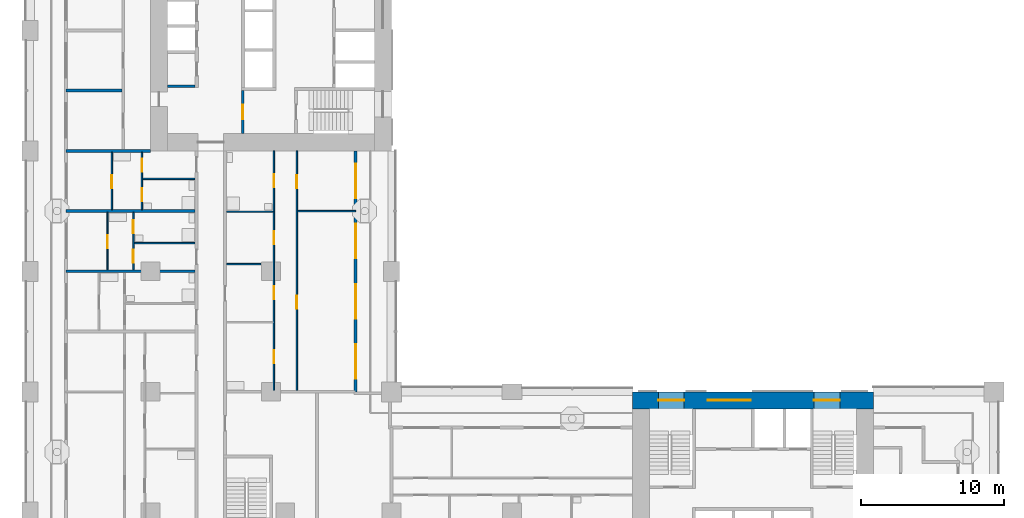
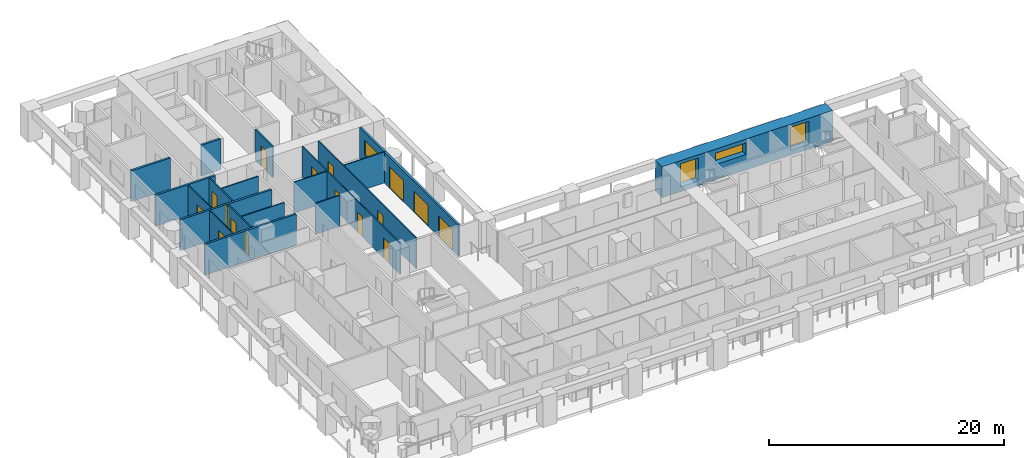
# One storey, part 7 of 19: 19 walls, 16 doors, 4 windows, 20 openings.
"""IFC4 building model written with IfcOpenShell, lengths in metres."""

from ifc_helpers import new_model, si_unit, direction, frame, frame_2d, origin, place, context, subcontext, project, spatial, rectangle, extrude, material, layer, layer_set, type_object, element, fill, save


model = new_model("IFC4")

# Units and contexts
model_context = context("Model", 3, precision=1e-05, world=origin(), true_north=direction((0.0, 1.0)))
body_context = subcontext(model_context, "Body", "Model", "MODEL_VIEW")
ifc_project = project(units=[si_unit("LENGTHUNIT", "METRE"), si_unit("AREAUNIT", "SQUARE_METRE"), si_unit("VOLUMEUNIT", "CUBIC_METRE"), si_unit("PLANEANGLEUNIT", "RADIAN"), si_unit("MASSUNIT", "GRAM", prefix="KILO")], contexts=[model_context])

# Site, building, storey
site_placement = place(None, origin())
site = spatial("IfcSite", under=ifc_project, at=site_placement, CompositionType="ELEMENT")
building_placement = place(site_placement, origin())
building = spatial("IfcBuilding", under=site, at=building_placement, Name="Vermilion Gate Residences", CompositionType="ELEMENT")
storey_placement = place(building_placement, frame((0.0, 0.0, 28.699951171875)))
storey = spatial("IfcBuildingStorey", under=building, at=storey_placement, Name="L05", CompositionType="ELEMENT", Elevation=28.699951171875)

# Wall, opening, door
ifc_material_1 = material(Name="Masonry blockwork", Category="masonry")
ifc_layer_1 = layer(ifc_material_1, 0.14990234375)
ifc_layer_set_1 = layer_set([ifc_layer_1], Name="BLOCKWORK PARTITION 150 EI 120")
wall_type_1 = type_object("IfcWallType", Name="BLOCKWORK PARTITION 150 EI 120", PredefinedType="PARTITIONING", material=ifc_layer_set_1)
wall_1_placement = place(storey_placement, frame((14.824951171875, 46.199951171875, 0.0), z_axis=(0.0, 0.0, 1.0), x_axis=(0.0, -1.0, 0.0)))
wall_1 = element("IfcWall", 1, at=wall_1_placement, inside=storey, type_object=wall_type_1, Name="Core room partition B05-VE-S", PredefinedType="PARTITIONING", context=body_context, shape_type="SweptSolid", body=[
    extrude(rectangle(XDim=3.0, YDim=0.14990234375, at=frame_2d((1.5, 0.0))), origin(), (0.0, 0.0, 1.0), 3.219970703125),
])
opening_1_placement = place(wall_1_placement, frame((1.0, 0.0, 0.0)))
opening_1 = element("IfcOpeningElement", 2, at=opening_1_placement, cuts=wall_1, Name="Opening DK05113", PredefinedType="OPENING", context=body_context, shape_type="SweptSolid", body=[
    extrude(rectangle(XDim=1.0, YDim=2.10009765625, at=frame_2d((0.5, 1.050048828125))), frame((0.0, 0.0849609375, 0.0), z_axis=(0.0, -1.0, 0.0), x_axis=(1.0, 0.0, 0.0)), (0.0, 0.0, 1.0), 0.169921875),
])
ifc_material_2 = material(Name="Steel", Category="steel")
door_type_1 = type_object("IfcDoorType", Name="FIRE DOOR FD60 1000 X 2100", OperationType="SINGLE_SWING_LEFT", PredefinedType="DOOR", material=ifc_material_2)
door_1_placement = place(opening_1_placement, frame((1.0, 0.0, 0.0), z_axis=(0.0, 0.0, 1.0), x_axis=(-1.0, 0.0, 0.0)))
door_1 = element("IfcDoor", 3, at=door_1_placement, inside=storey, type_object=door_type_1, Name="Stair vestibule door B05", OperationType="SINGLE_SWING_LEFT", OverallHeight=2.10009765625, OverallWidth=1.0, PredefinedType="DOOR", context=body_context, shape_type="SweptSolid", body=[
    extrude(rectangle(XDim=1.0, YDim=2.10009765625, at=frame_2d((0.5, 1.050048828125))), frame((0.0, 0.02490234375, 0.0), z_axis=(0.0, -1.0, 0.0), x_axis=(1.0, 0.0, 0.0)), (0.0, 0.0, 1.0), 0.050048828125),
])
fill(opening_1, door_1)

# Wall, openings, doors, window
ifc_material_3 = material(Name="Insulated steel stud wall with terracotta rainscreen", Category="masonry")
ifc_layer_2 = layer(ifc_material_3, 0.199951171875)
ifc_layer_set_2 = layer_set([ifc_layer_2], Name="EXTERNAL WALL 200 TERRACOTTA RAINSCREEN")
wall_type_2 = type_object("IfcWallType", Name="EXTERNAL WALL 200 TERRACOTTA RAINSCREEN", PredefinedType="SOLIDWALL", material=ifc_layer_set_2)
wall_2_placement = place(storey_placement, frame((22.699951171875, 25.199951171875, 0.0), z_axis=(0.0, 0.0, 1.0), x_axis=(0.0, 1.0, 0.0)))
wall_2 = element("IfcWall", 4, at=wall_2_placement, inside=storey, type_object=wall_type_2, Name="External wall", PredefinedType="SOLIDWALL", context=body_context, shape_type="SweptSolid", body=[
    extrude(rectangle(XDim=16.800048828125, YDim=0.199951171875, at=frame_2d((8.39990234375, 0.0))), origin(), (0.0, 0.0, 1.0), 3.219970703125),
])
opening_2_placement = place(wall_2_placement, frame((0.89990234375, 0.0, 0.0)))
opening_2 = element("IfcOpeningElement", 5, at=opening_2_placement, cuts=wall_2, Name="Opening DE05037", PredefinedType="OPENING", context=body_context, shape_type="SweptSolid", body=[
    extrude(rectangle(XDim=2.39990234375, YDim=2.199951171875, at=frame_2d((1.199951171875, 1.10009765625))), frame((0.0, 0.10986328125, 0.0), z_axis=(0.0, -1.0, 0.0), x_axis=(1.0, 0.0, 0.0)), (0.0, 0.0, 1.0), 0.219970703125),
])
opening_3_placement = place(wall_2_placement, frame((5.10009765625, 0.0, 0.0)))
opening_3 = element("IfcOpeningElement", 6, at=opening_3_placement, cuts=wall_2, Name="Opening DE05038", PredefinedType="OPENING", context=body_context, shape_type="SweptSolid", body=[
    extrude(rectangle(XDim=2.39990234375, YDim=2.199951171875, at=frame_2d((1.199951171875, 1.10009765625))), frame((0.0, 0.10986328125, 0.0), z_axis=(0.0, -1.0, 0.0), x_axis=(1.0, 0.0, 0.0)), (0.0, 0.0, 1.0), 0.219970703125),
])
opening_4_placement = place(wall_2_placement, frame((9.300048828125, 0.0, 0.0)))
opening_4 = element("IfcOpeningElement", 7, at=opening_4_placement, cuts=wall_2, Name="Opening DE05039", PredefinedType="OPENING", context=body_context, shape_type="SweptSolid", body=[
    extrude(rectangle(XDim=2.39990234375, YDim=2.199951171875, at=frame_2d((1.199951171875, 1.10009765625))), frame((0.0, 0.10986328125, 0.0), z_axis=(0.0, -1.0, 0.0), x_axis=(1.0, 0.0, 0.0)), (0.0, 0.0, 1.0), 0.219970703125),
])
opening_5_placement = place(wall_2_placement, frame((13.5, 0.0, 0.89990234375)))
opening_5 = element("IfcOpeningElement", 8, at=opening_5_placement, cuts=wall_2, Name="Opening WE05040", PredefinedType="OPENING", context=body_context, shape_type="SweptSolid", body=[
    extrude(rectangle(XDim=2.39990234375, YDim=1.5, at=frame_2d((1.199951171875, 0.75))), frame((0.0, 0.10986328125, 0.0), z_axis=(0.0, -1.0, 0.0), x_axis=(1.0, 0.0, 0.0)), (0.0, 0.0, 1.0), 0.219970703125),
])
ifc_material_4 = material(Name="Aluminium and clear glass", Category="aluminium")
door_type_2 = type_object("IfcDoorType", Name="SLIDING GLAZED DOOR 2400 X 2200", OperationType="DOUBLE_DOOR_SLIDING", PredefinedType="DOOR", material=ifc_material_4)
door_2_placement = place(opening_2_placement, origin())
door_2 = element("IfcDoor", 9, at=door_2_placement, inside=storey, type_object=door_type_2, Name="Loggia sliding door", OperationType="DOUBLE_DOOR_SLIDING", OverallHeight=2.199951171875, OverallWidth=2.39990234375, PredefinedType="DOOR", context=body_context, shape_type="SweptSolid", body=[
    extrude(rectangle(XDim=2.39990234375, YDim=2.199951171875, at=frame_2d((1.199951171875, 1.10009765625))), frame((0.0, 0.02490234375, 0.0), z_axis=(0.0, -1.0, 0.0), x_axis=(1.0, 0.0, 0.0)), (0.0, 0.0, 1.0), 0.050048828125),
])
fill(opening_2, door_2)
door_3_placement = place(opening_3_placement, origin())
door_3 = element("IfcDoor", 10, at=door_3_placement, inside=storey, type_object=door_type_2, Name="Loggia sliding door", OperationType="DOUBLE_DOOR_SLIDING", OverallHeight=2.199951171875, OverallWidth=2.39990234375, PredefinedType="DOOR", context=body_context, shape_type="SweptSolid", body=[
    extrude(rectangle(XDim=2.39990234375, YDim=2.199951171875, at=frame_2d((1.199951171875, 1.10009765625))), frame((0.0, 0.02490234375, 0.0), z_axis=(0.0, -1.0, 0.0), x_axis=(1.0, 0.0, 0.0)), (0.0, 0.0, 1.0), 0.050048828125),
])
fill(opening_3, door_3)
door_4_placement = place(opening_4_placement, origin())
door_4 = element("IfcDoor", 11, at=door_4_placement, inside=storey, type_object=door_type_2, Name="Loggia sliding door", OperationType="DOUBLE_DOOR_SLIDING", OverallHeight=2.199951171875, OverallWidth=2.39990234375, PredefinedType="DOOR", context=body_context, shape_type="SweptSolid", body=[
    extrude(rectangle(XDim=2.39990234375, YDim=2.199951171875, at=frame_2d((1.199951171875, 1.10009765625))), frame((0.0, 0.02490234375, 0.0), z_axis=(0.0, -1.0, 0.0), x_axis=(1.0, 0.0, 0.0)), (0.0, 0.0, 1.0), 0.050048828125),
])
fill(opening_4, door_4)
ifc_material_5 = material(Name="Aluminium and clear glass", Category="aluminium")
window_type_1 = type_object("IfcWindowType", Name="WINDOW 2400 X 1500", PartitioningType="SINGLE_PANEL", PredefinedType="WINDOW", material=ifc_material_5)
window_1_placement = place(opening_5_placement, origin())
window_1 = element("IfcWindow", 12, at=window_1_placement, inside=storey, type_object=window_type_1, Name="Window", OverallHeight=1.5, OverallWidth=2.39990234375, PartitioningType="SINGLE_PANEL", PredefinedType="WINDOW", context=body_context, shape_type="SweptSolid", body=[
    extrude(rectangle(XDim=2.39990234375, YDim=1.5, at=frame_2d((1.199951171875, 0.75))), frame((0.0, 0.030029296875, 0.0), z_axis=(0.0, -1.0, 0.0), x_axis=(1.0, 0.0, 0.0)), (0.0, 0.0, 1.0), 0.06005859375),
])
fill(opening_5, window_1)

# Walls
ifc_material_6 = material(Name="Plasterboard on steel studs", Category="steel")
ifc_layer_3 = layer(ifc_material_6, 0.10009765625)
ifc_layer_set_3 = layer_set([ifc_layer_3], Name="PARTITION 100")
wall_type_3 = type_object("IfcWallType", Name="PARTITION 100", PredefinedType="PARTITIONING", material=ifc_layer_set_3)
wall_3_placement = place(storey_placement, frame((13.699951171875, 34.10009765625, 0.0), z_axis=(0.0, 0.0, 1.0), x_axis=(1.0, 0.0, 0.0)))
element("IfcWall", 13, at=wall_3_placement, inside=storey, type_object=wall_type_3, Name="Partition", PredefinedType="PARTITIONING", context=body_context, shape_type="SweptSolid", body=[
    extrude(rectangle(XDim=2.400146484375, YDim=0.10009765625, at=frame_2d((1.2001953125, 0.0))), origin(), (0.0, 0.0, 1.0), 3.219970703125),
])
wall_4_placement = place(storey_placement, frame((7.25, 35.56005859375, 0.0), z_axis=(0.0, 0.0, 1.0), x_axis=(1.0, 0.0, 0.0)))
element("IfcWall", 14, at=wall_4_placement, inside=storey, type_object=wall_type_3, Name="Partition", PredefinedType="PARTITIONING", context=body_context, shape_type="SweptSolid", body=[
    extrude(rectangle(XDim=4.25, YDim=0.10009765625, at=frame_2d((2.125, 0.0))), origin(), (0.0, 0.0, 1.0), 3.219970703125),
])
wall_5_placement = place(storey_placement, frame((13.699951171875, 37.75, 0.0), z_axis=(0.0, 0.0, 1.0), x_axis=(1.0, 0.0, 0.0)))
element("IfcWall", 15, at=wall_5_placement, inside=storey, type_object=wall_type_3, Name="Partition", PredefinedType="PARTITIONING", context=body_context, shape_type="SweptSolid", body=[
    extrude(rectangle(XDim=3.25, YDim=0.10009765625, at=frame_2d((1.625, 0.0))), origin(), (0.0, 0.0, 1.0), 3.219970703125),
])
wall_6_placement = place(storey_placement, frame((18.64990234375, 37.800048828125, 0.0), z_axis=(0.0, 0.0, 1.0), x_axis=(1.0, 0.0, 0.0)))
element("IfcWall", 16, at=wall_6_placement, inside=storey, type_object=wall_type_3, Name="Partition", PredefinedType="PARTITIONING", context=body_context, shape_type="SweptSolid", body=[
    extrude(rectangle(XDim=4.050048828125, YDim=0.10009765625, at=frame_2d((2.02490234375, 0.0))), origin(), (0.0, 0.0, 1.0), 3.219970703125),
])
wall_7_placement = place(storey_placement, frame((7.85009765625, 40.0400390625, 0.0), z_axis=(0.0, 0.0, 1.0), x_axis=(1.0, 0.0, 0.0)))
element("IfcWall", 17, at=wall_7_placement, inside=storey, type_object=wall_type_3, Name="Partition", PredefinedType="PARTITIONING", context=body_context, shape_type="SweptSolid", body=[
    extrude(rectangle(XDim=3.64990234375, YDim=0.10009765625, at=frame_2d((1.824951171875, 0.0))), origin(), (0.0, 0.0, 1.0), 3.219970703125),
])

# Wall, opening, door
wall_8_placement = place(storey_placement, frame((5.39990234375, 33.699951171875, 0.0), z_axis=(0.0, 0.0, 1.0), x_axis=(0.0, 1.0, 0.0)))
wall_8 = element("IfcWall", 18, at=wall_8_placement, inside=storey, type_object=wall_type_3, Name="Partition", PredefinedType="PARTITIONING", context=body_context, shape_type="SweptSolid", body=[
    extrude(rectangle(XDim=4.0, YDim=0.10009765625, at=frame_2d((2.0, 0.0))), origin(), (0.0, 0.0, 1.0), 3.219970703125),
])
opening_6_placement = place(wall_8_placement, frame((1.5, 0.0, 0.0)))
opening_6 = element("IfcOpeningElement", 19, at=opening_6_placement, cuts=wall_8, Name="Opening DA04033", PredefinedType="OPENING", context=body_context, shape_type="SweptSolid", body=[
    extrude(rectangle(XDim=0.89990234375, YDim=2.10009765625, at=frame_2d((0.449951171875, 1.050048828125))), frame((0.0, 0.06005859375, 0.0), z_axis=(0.0, -1.0, 0.0), x_axis=(1.0, 0.0, 0.0)), (0.0, 0.0, 1.0), 0.1201171875),
])
ifc_material_7 = material(Name="Timber", Category="wood")
door_type_3 = type_object("IfcDoorType", Name="INTERIOR DOOR 900 X 2100", OperationType="SINGLE_SWING_LEFT", PredefinedType="DOOR", material=ifc_material_7)
door_5_placement = place(opening_6_placement, frame((0.89990234375, 0.0, 0.0), z_axis=(0.0, 0.0, 1.0), x_axis=(-1.0, 0.0, 0.0)))
door_5 = element("IfcDoor", 20, at=door_5_placement, inside=storey, type_object=door_type_3, Name="Interior door", OperationType="SINGLE_SWING_LEFT", OverallHeight=2.10009765625, OverallWidth=0.89990234375, PredefinedType="DOOR", context=body_context, shape_type="SweptSolid", body=[
    extrude(rectangle(XDim=0.89990234375, YDim=2.10009765625, at=frame_2d((0.449951171875, 1.050048828125))), frame((0.0, 0.02490234375, 0.0), z_axis=(0.0, -1.0, 0.0), x_axis=(1.0, 0.0, 0.0)), (0.0, 0.0, 1.0), 0.050048828125),
])
fill(opening_6, door_5)

wall_9_placement = place(storey_placement, frame((5.699951171875, 37.89990234375, 0.0), z_axis=(0.0, 0.0, 1.0), x_axis=(0.0, 1.0, 0.0)))
wall_9 = element("IfcWall", 21, at=wall_9_placement, inside=storey, type_object=wall_type_3, Name="Partition", PredefinedType="PARTITIONING", context=body_context, shape_type="SweptSolid", body=[
    extrude(rectangle(XDim=4.0, YDim=0.10009765625, at=frame_2d((2.0, 0.0))), origin(), (0.0, 0.0, 1.0), 3.219970703125),
])
opening_7_placement = place(wall_9_placement, frame((1.5, 0.0, 0.0)))
opening_7 = element("IfcOpeningElement", 22, at=opening_7_placement, cuts=wall_9, Name="Opening DA04034", PredefinedType="OPENING", context=body_context, shape_type="SweptSolid", body=[
    extrude(rectangle(XDim=0.89990234375, YDim=2.10009765625, at=frame_2d((0.449951171875, 1.050048828125))), frame((0.0, 0.06005859375, 0.0), z_axis=(0.0, -1.0, 0.0), x_axis=(1.0, 0.0, 0.0)), (0.0, 0.0, 1.0), 0.1201171875),
])
door_6_placement = place(opening_7_placement, frame((0.89990234375, 0.0, 0.0), z_axis=(0.0, 0.0, 1.0), x_axis=(-1.0, 0.0, 0.0)))
door_6 = element("IfcDoor", 23, at=door_6_placement, inside=storey, type_object=door_type_3, Name="Interior door", OperationType="SINGLE_SWING_LEFT", OverallHeight=2.10009765625, OverallWidth=0.89990234375, PredefinedType="DOOR", context=body_context, shape_type="SweptSolid", body=[
    extrude(rectangle(XDim=0.89990234375, YDim=2.10009765625, at=frame_2d((0.449951171875, 1.050048828125))), frame((0.0, 0.02490234375, 0.0), z_axis=(0.0, -1.0, 0.0), x_axis=(1.0, 0.0, 0.0)), (0.0, 0.0, 1.0), 0.050048828125),
])
fill(opening_7, door_6)

# Wall, openings, doors
wall_10_placement = place(storey_placement, frame((7.199951171875, 33.699951171875, 0.0), z_axis=(0.0, 0.0, 1.0), x_axis=(0.0, 1.0, 0.0)))
wall_10 = element("IfcWall", 24, at=wall_10_placement, inside=storey, type_object=wall_type_3, Name="Partition", PredefinedType="PARTITIONING", context=body_context, shape_type="SweptSolid", body=[
    extrude(rectangle(XDim=4.0, YDim=0.10009765625, at=frame_2d((2.0, 0.0))), origin(), (0.0, 0.0, 1.0), 3.219970703125),
])
opening_8_placement = place(wall_10_placement, frame((0.5, 0.0, 0.0)))
opening_8 = element("IfcOpeningElement", 25, at=opening_8_placement, cuts=wall_10, Name="Opening DA04042", PredefinedType="OPENING", context=body_context, shape_type="SweptSolid", body=[
    extrude(rectangle(XDim=0.89990234375, YDim=2.10009765625, at=frame_2d((0.449951171875, 1.050048828125))), frame((0.0, 0.06005859375, 0.0), z_axis=(0.0, -1.0, 0.0), x_axis=(1.0, 0.0, 0.0)), (0.0, 0.0, 1.0), 0.1201171875),
])
opening_9_placement = place(wall_10_placement, frame((2.56005859375, 0.0, 0.0)))
opening_9 = element("IfcOpeningElement", 26, at=opening_9_placement, cuts=wall_10, Name="Opening DA04043", PredefinedType="OPENING", context=body_context, shape_type="SweptSolid", body=[
    extrude(rectangle(XDim=0.89990234375, YDim=2.10009765625, at=frame_2d((0.449951171875, 1.050048828125))), frame((0.0, 0.06005859375, 0.0), z_axis=(0.0, -1.0, 0.0), x_axis=(1.0, 0.0, 0.0)), (0.0, 0.0, 1.0), 0.1201171875),
])
door_7_placement = place(opening_8_placement, origin())
door_7 = element("IfcDoor", 27, at=door_7_placement, inside=storey, type_object=door_type_3, Name="Interior door", OperationType="SINGLE_SWING_LEFT", OverallHeight=2.10009765625, OverallWidth=0.89990234375, PredefinedType="DOOR", context=body_context, shape_type="SweptSolid", body=[
    extrude(rectangle(XDim=0.89990234375, YDim=2.10009765625, at=frame_2d((0.449951171875, 1.050048828125))), frame((0.0, 0.02490234375, 0.0), z_axis=(0.0, -1.0, 0.0), x_axis=(1.0, 0.0, 0.0)), (0.0, 0.0, 1.0), 0.050048828125),
])
fill(opening_8, door_7)
door_8_placement = place(opening_9_placement, origin())
door_8 = element("IfcDoor", 28, at=door_8_placement, inside=storey, type_object=door_type_3, Name="Interior door", OperationType="SINGLE_SWING_LEFT", OverallHeight=2.10009765625, OverallWidth=0.89990234375, PredefinedType="DOOR", context=body_context, shape_type="SweptSolid", body=[
    extrude(rectangle(XDim=0.89990234375, YDim=2.10009765625, at=frame_2d((0.449951171875, 1.050048828125))), frame((0.0, 0.02490234375, 0.0), z_axis=(0.0, -1.0, 0.0), x_axis=(1.0, 0.0, 0.0)), (0.0, 0.0, 1.0), 0.050048828125),
])
fill(opening_9, door_8)

wall_11_placement = place(storey_placement, frame((7.800048828125, 37.89990234375, 0.0), z_axis=(0.0, 0.0, 1.0), x_axis=(0.0, 1.0, 0.0)))
wall_11 = element("IfcWall", 29, at=wall_11_placement, inside=storey, type_object=wall_type_3, Name="Partition", PredefinedType="PARTITIONING", context=body_context, shape_type="SweptSolid", body=[
    extrude(rectangle(XDim=4.0, YDim=0.10009765625, at=frame_2d((2.0, 0.0))), origin(), (0.0, 0.0, 1.0), 3.219970703125),
])
opening_10_placement = place(wall_11_placement, frame((2.639892578125, 0.0, 0.0)))
opening_10 = element("IfcOpeningElement", 30, at=opening_10_placement, cuts=wall_11, Name="Opening DA04044", PredefinedType="OPENING", context=body_context, shape_type="SweptSolid", body=[
    extrude(rectangle(XDim=0.89990234375, YDim=2.10009765625, at=frame_2d((0.449951171875, 1.050048828125))), frame((0.0, 0.06005859375, 0.0), z_axis=(0.0, -1.0, 0.0), x_axis=(1.0, 0.0, 0.0)), (0.0, 0.0, 1.0), 0.1201171875),
])
opening_11_placement = place(wall_11_placement, frame((0.60009765625, 0.0, 0.0)))
opening_11 = element("IfcOpeningElement", 31, at=opening_11_placement, cuts=wall_11, Name="Opening DA04045", PredefinedType="OPENING", context=body_context, shape_type="SweptSolid", body=[
    extrude(rectangle(XDim=0.89990234375, YDim=2.10009765625, at=frame_2d((0.449951171875, 1.050048828125))), frame((0.0, 0.06005859375, 0.0), z_axis=(0.0, -1.0, 0.0), x_axis=(1.0, 0.0, 0.0)), (0.0, 0.0, 1.0), 0.1201171875),
])
door_9_placement = place(opening_10_placement, origin())
door_9 = element("IfcDoor", 32, at=door_9_placement, inside=storey, type_object=door_type_3, Name="Interior door", OperationType="SINGLE_SWING_LEFT", OverallHeight=2.10009765625, OverallWidth=0.89990234375, PredefinedType="DOOR", context=body_context, shape_type="SweptSolid", body=[
    extrude(rectangle(XDim=0.89990234375, YDim=2.10009765625, at=frame_2d((0.449951171875, 1.050048828125))), frame((0.0, 0.02490234375, 0.0), z_axis=(0.0, -1.0, 0.0), x_axis=(1.0, 0.0, 0.0)), (0.0, 0.0, 1.0), 0.050048828125),
])
fill(opening_10, door_9)
door_10_placement = place(opening_11_placement, frame((0.89990234375, 0.0, 0.0), z_axis=(0.0, 0.0, 1.0), x_axis=(-1.0, 0.0, 0.0)))
door_10 = element("IfcDoor", 33, at=door_10_placement, inside=storey, type_object=door_type_3, Name="Interior door", OperationType="SINGLE_SWING_RIGHT", OverallHeight=2.10009765625, OverallWidth=0.89990234375, PredefinedType="DOOR", context=body_context, shape_type="SweptSolid", body=[
    extrude(rectangle(XDim=0.89990234375, YDim=2.10009765625, at=frame_2d((0.449951171875, 1.050048828125))), frame((0.0, 0.02490234375, 0.0), z_axis=(0.0, -1.0, 0.0), x_axis=(1.0, 0.0, 0.0)), (0.0, 0.0, 1.0), 0.050048828125),
])
fill(opening_11, door_10)

wall_12_placement = place(storey_placement, frame((17.0, 25.300048828125, 0.0), z_axis=(0.0, 0.0, 1.0), x_axis=(0.0, 1.0, 0.0)))
wall_12 = element("IfcWall", 34, at=wall_12_placement, inside=storey, type_object=wall_type_3, Name="Partition", PredefinedType="PARTITIONING", context=body_context, shape_type="SweptSolid", body=[
    extrude(rectangle(XDim=16.699951171875, YDim=0.10009765625, at=frame_2d((8.35009765625, 0.0))), origin(), (0.0, 0.0, 1.0), 3.219970703125),
])
opening_12_placement = place(wall_12_placement, frame((6.35009765625, 0.0, 0.0)))
opening_12 = element("IfcOpeningElement", 35, at=opening_12_placement, cuts=wall_12, Name="Opening DA04059", PredefinedType="OPENING", context=body_context, shape_type="SweptSolid", body=[
    extrude(rectangle(XDim=0.89990234375, YDim=2.10009765625, at=frame_2d((0.449951171875, 1.050048828125))), frame((0.0, 0.06005859375, 0.0), z_axis=(0.0, -1.0, 0.0), x_axis=(1.0, 0.0, 0.0)), (0.0, 0.0, 1.0), 0.1201171875),
])
opening_13_placement = place(wall_12_placement, frame((1.89990234375, 0.0, 0.0)))
opening_13 = element("IfcOpeningElement", 36, at=opening_13_placement, cuts=wall_12, Name="Opening DA04060", PredefinedType="OPENING", context=body_context, shape_type="SweptSolid", body=[
    extrude(rectangle(XDim=0.89990234375, YDim=2.10009765625, at=frame_2d((0.449951171875, 1.050048828125))), frame((0.0, 0.06005859375, 0.0), z_axis=(0.0, -1.0, 0.0), x_axis=(1.0, 0.0, 0.0)), (0.0, 0.0, 1.0), 0.1201171875),
])
opening_14_placement = place(wall_12_placement, frame((10.199951171875, 0.0, 0.0)))
opening_14 = element("IfcOpeningElement", 37, at=opening_14_placement, cuts=wall_12, Name="Opening DA04061", PredefinedType="OPENING", context=body_context, shape_type="SweptSolid", body=[
    extrude(rectangle(XDim=0.89990234375, YDim=2.10009765625, at=frame_2d((0.449951171875, 1.050048828125))), frame((0.0, 0.06005859375, 0.0), z_axis=(0.0, -1.0, 0.0), x_axis=(1.0, 0.0, 0.0)), (0.0, 0.0, 1.0), 0.1201171875),
])
opening_15_placement = place(wall_12_placement, frame((14.14990234375, 0.0, 0.0)))
opening_15 = element("IfcOpeningElement", 38, at=opening_15_placement, cuts=wall_12, Name="Opening DA04062", PredefinedType="OPENING", context=body_context, shape_type="SweptSolid", body=[
    extrude(rectangle(XDim=0.89990234375, YDim=2.10009765625, at=frame_2d((0.449951171875, 1.050048828125))), frame((0.0, 0.06005859375, 0.0), z_axis=(0.0, -1.0, 0.0), x_axis=(1.0, 0.0, 0.0)), (0.0, 0.0, 1.0), 0.1201171875),
])
door_11_placement = place(opening_12_placement, origin())
door_11 = element("IfcDoor", 39, at=door_11_placement, inside=storey, type_object=door_type_3, Name="Interior door", OperationType="SINGLE_SWING_RIGHT", OverallHeight=2.10009765625, OverallWidth=0.89990234375, PredefinedType="DOOR", context=body_context, shape_type="SweptSolid", body=[
    extrude(rectangle(XDim=0.89990234375, YDim=2.10009765625, at=frame_2d((0.449951171875, 1.050048828125))), frame((0.0, 0.02490234375, 0.0), z_axis=(0.0, -1.0, 0.0), x_axis=(1.0, 0.0, 0.0)), (0.0, 0.0, 1.0), 0.050048828125),
])
fill(opening_12, door_11)
door_12_placement = place(opening_13_placement, origin())
door_12 = element("IfcDoor", 40, at=door_12_placement, inside=storey, type_object=door_type_3, Name="Interior door", OperationType="SINGLE_SWING_LEFT", OverallHeight=2.10009765625, OverallWidth=0.89990234375, PredefinedType="DOOR", context=body_context, shape_type="SweptSolid", body=[
    extrude(rectangle(XDim=0.89990234375, YDim=2.10009765625, at=frame_2d((0.449951171875, 1.050048828125))), frame((0.0, 0.02490234375, 0.0), z_axis=(0.0, -1.0, 0.0), x_axis=(1.0, 0.0, 0.0)), (0.0, 0.0, 1.0), 0.050048828125),
])
fill(opening_13, door_12)
door_13_placement = place(opening_14_placement, origin())
door_13 = element("IfcDoor", 41, at=door_13_placement, inside=storey, type_object=door_type_3, Name="Interior door", OperationType="SINGLE_SWING_LEFT", OverallHeight=2.10009765625, OverallWidth=0.89990234375, PredefinedType="DOOR", context=body_context, shape_type="SweptSolid", body=[
    extrude(rectangle(XDim=0.89990234375, YDim=2.10009765625, at=frame_2d((0.449951171875, 1.050048828125))), frame((0.0, 0.02490234375, 0.0), z_axis=(0.0, -1.0, 0.0), x_axis=(1.0, 0.0, 0.0)), (0.0, 0.0, 1.0), 0.050048828125),
])
fill(opening_14, door_13)
door_14_placement = place(opening_15_placement, origin())
door_14 = element("IfcDoor", 42, at=door_14_placement, inside=storey, type_object=door_type_3, Name="Interior door", OperationType="SINGLE_SWING_LEFT", OverallHeight=2.10009765625, OverallWidth=0.89990234375, PredefinedType="DOOR", context=body_context, shape_type="SweptSolid", body=[
    extrude(rectangle(XDim=0.89990234375, YDim=2.10009765625, at=frame_2d((0.449951171875, 1.050048828125))), frame((0.0, 0.02490234375, 0.0), z_axis=(0.0, -1.0, 0.0), x_axis=(1.0, 0.0, 0.0)), (0.0, 0.0, 1.0), 0.050048828125),
])
fill(opening_15, door_14)

wall_13_placement = place(storey_placement, frame((18.60009765625, 25.300048828125, 0.0), z_axis=(0.0, 0.0, 1.0), x_axis=(0.0, 1.0, 0.0)))
wall_13 = element("IfcWall", 43, at=wall_13_placement, inside=storey, type_object=wall_type_3, Name="Partition", PredefinedType="PARTITIONING", context=body_context, shape_type="SweptSolid", body=[
    extrude(rectangle(XDim=16.699951171875, YDim=0.10009765625, at=frame_2d((8.35009765625, 0.0))), origin(), (0.0, 0.0, 1.0), 3.219970703125),
])
opening_16_placement = place(wall_13_placement, frame((5.699951171875, 0.0, 0.0)))
opening_16 = element("IfcOpeningElement", 44, at=opening_16_placement, cuts=wall_13, Name="Opening DA04063", PredefinedType="OPENING", context=body_context, shape_type="SweptSolid", body=[
    extrude(rectangle(XDim=0.89990234375, YDim=2.10009765625, at=frame_2d((0.449951171875, 1.050048828125))), frame((0.0, 0.06005859375, 0.0), z_axis=(0.0, -1.0, 0.0), x_axis=(1.0, 0.0, 0.0)), (0.0, 0.0, 1.0), 0.1201171875),
])
opening_17_placement = place(wall_13_placement, frame((14.10009765625, 0.0, 0.0)))
opening_17 = element("IfcOpeningElement", 45, at=opening_17_placement, cuts=wall_13, Name="Opening DA04064", PredefinedType="OPENING", context=body_context, shape_type="SweptSolid", body=[
    extrude(rectangle(XDim=0.89990234375, YDim=2.10009765625, at=frame_2d((0.449951171875, 1.050048828125))), frame((0.0, 0.06005859375, 0.0), z_axis=(0.0, -1.0, 0.0), x_axis=(1.0, 0.0, 0.0)), (0.0, 0.0, 1.0), 0.1201171875),
])
door_15_placement = place(opening_16_placement, frame((0.89990234375, 0.0, 0.0), z_axis=(0.0, 0.0, 1.0), x_axis=(-1.0, 0.0, 0.0)))
door_15 = element("IfcDoor", 46, at=door_15_placement, inside=storey, type_object=door_type_3, Name="Interior door", OperationType="SINGLE_SWING_RIGHT", OverallHeight=2.10009765625, OverallWidth=0.89990234375, PredefinedType="DOOR", context=body_context, shape_type="SweptSolid", body=[
    extrude(rectangle(XDim=0.89990234375, YDim=2.10009765625, at=frame_2d((0.449951171875, 1.050048828125))), frame((0.0, 0.02490234375, 0.0), z_axis=(0.0, -1.0, 0.0), x_axis=(1.0, 0.0, 0.0)), (0.0, 0.0, 1.0), 0.050048828125),
])
fill(opening_16, door_15)
door_16_placement = place(opening_17_placement, frame((0.89990234375, 0.0, 0.0), z_axis=(0.0, 0.0, 1.0), x_axis=(-1.0, 0.0, 0.0)))
door_16 = element("IfcDoor", 47, at=door_16_placement, inside=storey, type_object=door_type_3, Name="Interior door", OperationType="SINGLE_SWING_RIGHT", OverallHeight=2.10009765625, OverallWidth=0.89990234375, PredefinedType="DOOR", context=body_context, shape_type="SweptSolid", body=[
    extrude(rectangle(XDim=0.89990234375, YDim=2.10009765625, at=frame_2d((0.449951171875, 1.050048828125))), frame((0.0, 0.02490234375, 0.0), z_axis=(0.0, -1.0, 0.0), x_axis=(1.0, 0.0, 0.0)), (0.0, 0.0, 1.0), 0.050048828125),
])
fill(opening_17, door_16)

# Walls
ifc_material_8 = material(Name="Fire-rated plasterboard on steel studs", Category="steel")
ifc_layer_4 = layer(ifc_material_8, 0.199951171875)
ifc_layer_set_4 = layer_set([ifc_layer_4], Name="PARTY WALL 200 EI 120")
wall_type_4 = type_object("IfcWallType", Name="PARTY WALL 200 EI 120", PredefinedType="PARTITIONING", material=ifc_layer_set_4)
for number, where, z_axis, x_axis, name in (
    (48, (2.5, 33.60009765625, 0.0), (0.0, 0.0, 1.0), (1.0, 0.0, 0.0), "Party and corridor wall"),
    (49, (2.5, 37.800048828125, 0.0), (0.0, 0.0, 1.0), (1.0, 0.0, 0.0), "Party and corridor wall"),
):
    element("IfcWall", number, at=place(storey_placement, frame(where, z_axis=z_axis, x_axis=x_axis)), inside=storey, type_object=wall_type_4, Name=name, PredefinedType="PARTITIONING", context=body_context, shape_type="SweptSolid", body=[
        extrude(rectangle(XDim=9.0, YDim=0.199951171875, at=frame_2d((4.5, 0.0))), origin(), (0.0, 0.0, 1.0), 3.219970703125),
    ])
wall_14_placement = place(storey_placement, frame((2.5, 42.0, 0.0), z_axis=(0.0, 0.0, 1.0), x_axis=(1.0, 0.0, 0.0)))
element("IfcWall", 50, at=wall_14_placement, inside=storey, type_object=wall_type_4, Name="Party and corridor wall", PredefinedType="PARTITIONING", context=body_context, shape_type="SweptSolid", body=[
    extrude(rectangle(XDim=5.89990234375, YDim=0.199951171875, at=frame_2d((2.949951171875, 0.0))), origin(), (0.0, 0.0, 1.0), 3.219970703125),
])
wall_15_placement = place(storey_placement, frame((2.5, 46.199951171875, 0.0), z_axis=(0.0, 0.0, 1.0), x_axis=(1.0, 0.0, 0.0)))
element("IfcWall", 51, at=wall_15_placement, inside=storey, type_object=wall_type_4, Name="Party and corridor wall", PredefinedType="PARTITIONING", context=body_context, shape_type="SweptSolid", body=[
    extrude(rectangle(XDim=3.89990234375, YDim=0.199951171875, at=frame_2d((1.949951171875, 0.0))), origin(), (0.0, 0.0, 1.0), 3.219970703125),
])
ifc_material_9 = material(Name="Concrete C60", Category="concrete")
ifc_layer_5 = layer(ifc_material_9, 0.199951171875)
ifc_layer_set_5 = layer_set([ifc_layer_5], Name="RC CORE INTERNAL WALL 200 C60")
wall_type_5 = type_object("IfcWallType", Name="RC CORE INTERNAL WALL 200 C60", PredefinedType="SHEAR", material=ifc_layer_set_5)
wall_16_placement = place(storey_placement, frame((9.60009765625, 46.5, 0.0), z_axis=(0.0, 0.0, 1.0), x_axis=(1.0, 0.0, 0.0)))
element("IfcWall", 52, at=wall_16_placement, inside=storey, type_object=wall_type_5, Name="Core internal wall B05-LR-DE", PredefinedType="SHEAR", context=body_context, shape_type="SweptSolid", body=[
    extrude(rectangle(XDim=1.89990234375, YDim=0.199951171875, at=frame_2d((0.949951171875, 0.0))), origin(), (0.0, 0.0, 1.0), 3.219970703125),
])

# Wall, openings, windows
ifc_material_10 = material(Name="Concrete C80 red-oxide pigmented", Category="concrete")
ifc_layer_6 = layer(ifc_material_10, 1.199951171875)
ifc_layer_set_6 = layer_set([ifc_layer_6], Name="RC CORE WALL 1200 C80 RED OXIDE")
wall_type_6 = type_object("IfcWallType", Name="RC CORE WALL 1200 C80 RED OXIDE", PredefinedType="SHEAR", material=ifc_layer_set_6)
wall_17_placement = place(storey_placement, frame((42.0, 24.60009765625, 0.0), z_axis=(0.0, 0.0, 1.0), x_axis=(1.0, 0.0, 0.0)))
wall_17 = element("IfcWall", 53, at=wall_17_placement, inside=storey, type_object=wall_type_6, Name="Core wall A05-OUT-B1", PredefinedType="SHEAR", context=body_context, shape_type="SweptSolid", body=[
    extrude(rectangle(XDim=16.800048828125, YDim=1.199951171875, at=frame_2d((8.39990234375, 0.0))), origin(), (0.0, 0.0, 1.0), 3.219970703125),
])
opening_18_placement = place(wall_17_placement, frame((1.800048828125, 0.0, 0.5)))
opening_18 = element("IfcOpeningElement", 54, at=opening_18_placement, cuts=wall_17, Name="Opening WKA0501", PredefinedType="OPENING", context=body_context, shape_type="SweptSolid", body=[
    extrude(rectangle(XDim=1.800048828125, YDim=2.39990234375, at=frame_2d((0.89990234375, 1.199951171875))), frame((0.0, 0.60986328125, 0.0), z_axis=(0.0, -1.0, 0.0), x_axis=(1.0, 0.0, 0.0)), (0.0, 0.0, 1.0), 1.219970703125),
])
opening_19_placement = place(wall_17_placement, frame((5.25, 0.0, 1.60009765625)))
opening_19 = element("IfcOpeningElement", 55, at=opening_19_placement, cuts=wall_17, Name="Opening WKA0502", PredefinedType="OPENING", context=body_context, shape_type="SweptSolid", body=[
    extrude(rectangle(XDim=3.0, YDim=1.199951171875, at=frame_2d((1.5, 0.60009765625))), frame((0.0, 0.60986328125, 0.0), z_axis=(0.0, -1.0, 0.0), x_axis=(1.0, 0.0, 0.0)), (0.0, 0.0, 1.0), 1.219970703125),
])
opening_20_placement = place(wall_17_placement, frame((12.64990234375, 0.0, 0.5)))
opening_20 = element("IfcOpeningElement", 56, at=opening_20_placement, cuts=wall_17, Name="Opening WKA0503", PredefinedType="OPENING", context=body_context, shape_type="SweptSolid", body=[
    extrude(rectangle(XDim=1.800048828125, YDim=2.39990234375, at=frame_2d((0.89990234375, 1.199951171875))), frame((0.0, 0.60986328125, 0.0), z_axis=(0.0, -1.0, 0.0), x_axis=(1.0, 0.0, 0.0)), (0.0, 0.0, 1.0), 1.219970703125),
])
ifc_material_11 = material(Name="Aluminium frame with louvre blades", Category="aluminium")
window_type_2 = type_object("IfcWindowType", Name="CORE LOUVRE 3000 X 1200", PartitioningType="SINGLE_PANEL", PredefinedType="WINDOW", material=ifc_material_11)
window_2_placement = place(opening_19_placement, origin())
window_2 = element("IfcWindow", 57, at=window_2_placement, inside=storey, type_object=window_type_2, Name="Core louvre", OverallHeight=1.199951171875, OverallWidth=3.0, PartitioningType="SINGLE_PANEL", PredefinedType="WINDOW", context=body_context, shape_type="SweptSolid", body=[
    extrude(rectangle(XDim=3.0, YDim=1.199951171875, at=frame_2d((1.5, 0.60009765625))), frame((0.0, 0.030029296875, 0.0), z_axis=(0.0, -1.0, 0.0), x_axis=(1.0, 0.0, 0.0)), (0.0, 0.0, 1.0), 0.06005859375),
])
fill(opening_19, window_2)
ifc_material_12 = material(Name="Aluminium and clear glass", Category="aluminium")
window_type_3 = type_object("IfcWindowType", Name="CORE STAIR WINDOW 1800 X 2400", PartitioningType="SINGLE_PANEL", PredefinedType="WINDOW", material=ifc_material_12)
window_3_placement = place(opening_18_placement, origin())
window_3 = element("IfcWindow", 58, at=window_3_placement, inside=storey, type_object=window_type_3, Name="Core stair window", OverallHeight=2.39990234375, OverallWidth=1.800048828125, PartitioningType="SINGLE_PANEL", PredefinedType="WINDOW", context=body_context, shape_type="SweptSolid", body=[
    extrude(rectangle(XDim=1.800048828125, YDim=2.39990234375, at=frame_2d((0.89990234375, 1.199951171875))), frame((0.0, 0.030029296875, 0.0), z_axis=(0.0, -1.0, 0.0), x_axis=(1.0, 0.0, 0.0)), (0.0, 0.0, 1.0), 0.06005859375),
])
fill(opening_18, window_3)
window_4_placement = place(opening_20_placement, origin())
window_4 = element("IfcWindow", 59, at=window_4_placement, inside=storey, type_object=window_type_3, Name="Core stair window", OverallHeight=2.39990234375, OverallWidth=1.800048828125, PartitioningType="SINGLE_PANEL", PredefinedType="WINDOW", context=body_context, shape_type="SweptSolid", body=[
    extrude(rectangle(XDim=1.800048828125, YDim=2.39990234375, at=frame_2d((0.89990234375, 1.199951171875))), frame((0.0, 0.030029296875, 0.0), z_axis=(0.0, -1.0, 0.0), x_axis=(1.0, 0.0, 0.0)), (0.0, 0.0, 1.0), 0.06005859375),
])
fill(opening_20, window_4)

save(model, "model.ifc")
